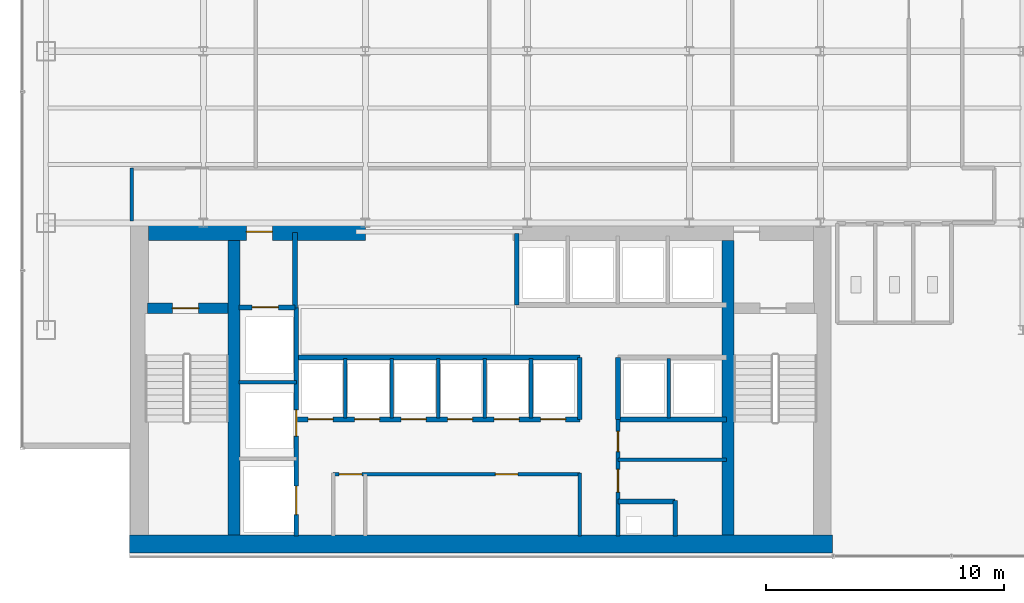
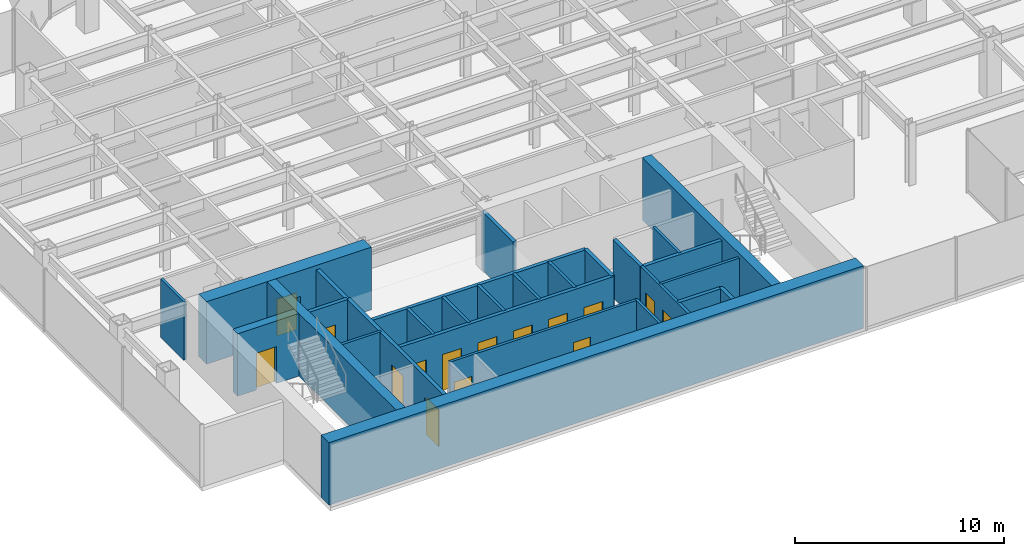
# One storey, part 21 of 26: 28 walls, 15 doors, 15 openings.
"""IFC4 building model written with IfcOpenShell, lengths in metres."""

from ifc_helpers import new_model, si_unit, derived_unit, direction, frame, frame_2d, origin, place, context, subcontext, project, spatial, rectangle, extrude, source, transform, mapped, material, layer, layer_set, type_object, element, fill, save


model = new_model("IFC4")

# Units and contexts
model_context = context("Model", 3, precision=1e-05, world=origin(), true_north=direction((0.0, 1.0)))
body_context = subcontext(model_context, "Body", "Model", "MODEL_VIEW")
ifc_project = project(units=[si_unit("LENGTHUNIT", "METRE"), si_unit("AREAUNIT", "SQUARE_METRE"), si_unit("VOLUMEUNIT", "CUBIC_METRE"), si_unit("PLANEANGLEUNIT", "RADIAN"), si_unit("MASSUNIT", "GRAM", prefix="KILO"), derived_unit("THERMALTRANSMITTANCEUNIT", [(si_unit("POWERUNIT", "WATT"), 1), (si_unit("LENGTHUNIT", "METRE"), -2), (si_unit("THERMODYNAMICTEMPERATUREUNIT", "KELVIN"), -1)])], contexts=[model_context])

# Site, building, storey
site_placement = place(None, origin())
site = spatial("IfcSite", under=ifc_project, at=site_placement, CompositionType="ELEMENT")
building_placement = place(site_placement, origin())
building = spatial("IfcBuilding", under=site, at=building_placement, Name="Skarnbrae Concourse Arena and Tower", CompositionType="ELEMENT")
storey_placement = place(building_placement, frame((0.0, 0.0, 103.25)))
storey = spatial("IfcBuildingStorey", under=building, at=storey_placement, Name="L25", CompositionType="ELEMENT", Elevation=103.25)

# Wall, opening, door
ifc_material_1 = material(Name="Concrete 50 MPa (C50/60)", Category="concrete")
ifc_layer_1 = layer(ifc_material_1, 0.449951171875)
ifc_layer_set_1 = layer_set([ifc_layer_1], Name="Concrete 50 MPa (C50/60)")
wall_type_1 = type_object("IfcWallType", Name="WALL-CORE-450-C50", PredefinedType="SHEAR", material=ifc_layer_set_1)
shared_shape_1 = source(origin(), body_context, "Body", "SweptSolid", [
    extrude(rectangle(XDim=3.389892578125, YDim=0.449951171875, at=frame_2d((1.69482421875, 0.0))), origin(), (0.0, 0.0, 1.0), 3.64990234375),
])
wall_1_placement = place(storey_placement, frame((5.25, 10.419921875, 0.0), z_axis=(0.0, 0.0, 1.0), x_axis=(1.0, 0.0, 0.0)))
wall_1 = element("IfcWall", 1, at=wall_1_placement, inside=storey, type_object=wall_type_1, Name="L25 Rear core shear wall CW-ST1-N", PredefinedType="SHEAR", context=body_context, shape_type="MappedRepresentation", body=[
    mapped(shared_shape_1, transform((0.0, 0.0, 0.0))),
])
opening_1_placement = place(wall_1_placement, frame((1.050048828125, 0.0, 0.0)))
opening_1 = element("IfcOpeningElement", 2, at=opening_1_placement, cuts=wall_1, Name="Opening DT-03", PredefinedType="OPENING", context=body_context, shape_type="SweptSolid", body=[
    extrude(rectangle(XDim=1.10009765625, YDim=2.14990234375, at=frame_2d((0.550048828125, 1.074951171875))), frame((0.0, 0.23486328125, 0.0), z_axis=(0.0, -1.0, 0.0), x_axis=(1.0, 0.0, 0.0)), (0.0, 0.0, 1.0), 0.469970703125),
])
ifc_material_2 = material(Name="Steel CSA G40.21 350W", Category="steel")
door_type_1 = type_object("IfcDoorType", Name="DOOR-FIRE-1100-90M", OperationType="NOTDEFINED", PredefinedType="DOOR", material=ifc_material_2)
shared_shape_2 = source(origin(), body_context, "Body", "SweptSolid", [
    extrude(rectangle(XDim=1.10009765625, YDim=2.14990234375, at=frame_2d((0.550048828125, 1.074951171875))), frame((0.0, 0.02490234375, 0.0), z_axis=(0.0, -1.0, 0.0), x_axis=(1.0, 0.0, 0.0)), (0.0, 0.0, 1.0), 0.050048828125),
])
door_1_placement = place(opening_1_placement, frame((1.10009765625, 0.0, 0.0), z_axis=(0.0, 0.0, 1.0), x_axis=(-1.0, 0.0, 0.0)))
door_1 = element("IfcDoor", 3, at=door_1_placement, inside=storey, type_object=door_type_1, Name="D-0837 Stair ST-1 Door", OperationType="SINGLE_SWING_LEFT", OverallHeight=2.14990234375, OverallWidth=1.10009765625, PredefinedType="DOOR", context=body_context, shape_type="MappedRepresentation", body=[
    mapped(shared_shape_2, transform((0.0, 0.0, 0.0))),
])
fill(opening_1, door_1)

# Wall
ifc_material_3 = material(Name="Concrete 60 MPa (C60/75)", Category="concrete")
ifc_layer_2 = layer(ifc_material_3, 0.75)
ifc_layer_set_2 = layer_set([ifc_layer_2], Name="Concrete 60 MPa (C60/75)")
wall_type_2 = type_object("IfcWallType", Name="WALL-CORE-750-C60", PredefinedType="SHEAR", material=ifc_layer_set_2)
shared_shape_3 = source(origin(), body_context, "Body", "SweptSolid", [
    extrude(rectangle(XDim=29.5, YDim=0.75, at=frame_2d((14.75, 0.0))), origin(), (0.0, 0.0, 1.0), 3.64990234375),
])
wall_2_placement = place(storey_placement, frame((4.5, 0.52490234375, 0.0), z_axis=(0.0, 0.0, 1.0), x_axis=(1.0, 0.0, 0.0)))
element("IfcWall", 4, at=wall_2_placement, inside=storey, type_object=wall_type_2, Name="L25 Rear core shear wall CW-S", PredefinedType="SHEAR", context=body_context, shape_type="MappedRepresentation", body=[
    mapped(shared_shape_3, transform((0.0, 0.0, 0.0))),
])

# Wall, opening, door
shared_shape_4 = source(origin(), body_context, "Body", "SweptSolid", [
    extrude(rectangle(XDim=9.099853515625, YDim=0.75, at=frame_2d((4.5498046875, 0.0))), origin(), (0.0, 0.0, 1.0), 3.64990234375),
])
wall_3_placement = place(storey_placement, frame((5.300048828125, 13.625, 0.0), z_axis=(0.0, 0.0, 1.0), x_axis=(1.0, 0.0, 0.0)))
wall_3 = element("IfcWall", 5, at=wall_3_placement, inside=storey, type_object=wall_type_2, Name="L25 Rear core shear wall CW-NW", PredefinedType="SHEAR", context=body_context, shape_type="MappedRepresentation", body=[
    mapped(shared_shape_4, transform((0.0, 0.0, 0.0))),
])
opening_2_placement = place(wall_3_placement, frame((4.10009765625, 0.0, 0.0)))
opening_2 = element("IfcOpeningElement", 6, at=opening_2_placement, cuts=wall_3, Name="Opening DT-03", PredefinedType="OPENING", context=body_context, shape_type="SweptSolid", body=[
    extrude(rectangle(XDim=1.10009765625, YDim=2.14990234375, at=frame_2d((0.550048828125, 1.074951171875))), frame((0.0, 0.385009765625, 0.0), z_axis=(0.0, -1.0, 0.0), x_axis=(1.0, 0.0, 0.0)), (0.0, 0.0, 1.0), 0.77001953125),
])
door_2_placement = place(opening_2_placement, origin())
door_2 = element("IfcDoor", 7, at=door_2_placement, inside=storey, type_object=door_type_1, Name="D-0839 Firefighting Lobby Exit Door", OperationType="SINGLE_SWING_RIGHT", OverallHeight=2.14990234375, OverallWidth=1.10009765625, PredefinedType="DOOR", context=body_context, shape_type="MappedRepresentation", body=[
    mapped(shared_shape_2, transform((0.0, 0.0, 0.0))),
])
fill(opening_2, door_2)

# Walls
ifc_layer_3 = layer(ifc_material_3, 0.5)
ifc_layer_set_3 = layer_set([ifc_layer_3], Name="Concrete 60 MPa (C60/75)")
wall_type_3 = type_object("IfcWallType", Name="WALL-CORE-500-C60", PredefinedType="SHEAR", material=ifc_layer_set_3)
shared_shape_5 = source(origin(), body_context, "Body", "SweptSolid", [
    extrude(rectangle(XDim=12.35009765625, YDim=0.5, at=frame_2d((6.175048828125, 0.0))), origin(), (0.0, 0.0, 1.0), 3.64990234375),
])
for number, where, z_axis, x_axis, name in (
    (8, (8.889892578125, 0.89990234375, 0.0), (0.0, 0.0, 1.0), (0.0, 1.0, 0.0), "L25 Rear core shear wall CW-WEB-W"),
    (9, (29.610107421875, 0.89990234375, 0.0), (0.0, 0.0, 1.0), (0.0, 1.0, 0.0), "L25 Rear core shear wall CW-WEB-E"),
):
    element("IfcWall", number, at=place(storey_placement, frame(where, z_axis=z_axis, x_axis=x_axis)), inside=storey, type_object=wall_type_3, Name=name, PredefinedType="SHEAR", context=body_context, shape_type="MappedRepresentation", body=[
        mapped(shared_shape_5, transform((0.0, 0.0, 0.0))),
    ])
ifc_material_4 = material(Name="Gypsum board on cold-formed steel studs", Category="steel")
ifc_layer_4 = layer(ifc_material_4, 0.199951171875)
ifc_layer_set_4 = layer_set([ifc_layer_4], Name="Gypsum board on cold-formed steel studs")
wall_type_4 = type_object("IfcWallType", Name="WALL-PART-200-2HR", PredefinedType="PARTITIONING", material=ifc_layer_set_4)
shared_shape_6 = source(origin(), body_context, "Body", "SweptSolid", [
    extrude(rectangle(XDim=3.18017578125, YDim=0.199951171875, at=frame_2d((1.590087890625, 0.0))), origin(), (0.0, 0.0, 1.0), 3.39990234375),
])
wall_4_placement = place(storey_placement, frame((11.449951171875, 10.419921875, 0.0), z_axis=(0.0, 0.0, 1.0), x_axis=(0.0, 1.0, 0.0)))
element("IfcWall", 10, at=wall_4_placement, inside=storey, type_object=wall_type_4, Name="L25 Interior partition wall W-L25-FFL-E", PredefinedType="PARTITIONING", context=body_context, shape_type="MappedRepresentation", body=[
    mapped(shared_shape_6, transform((0.0, 0.0, 0.0))),
])

# Wall, opening, door
shared_shape_7 = source(origin(), body_context, "Body", "SweptSolid", [
    extrude(rectangle(XDim=2.349853515625, YDim=0.199951171875, at=frame_2d((1.1748046875, 0.0))), origin(), (0.0, 0.0, 1.0), 3.39990234375),
])
wall_5_placement = place(storey_placement, frame((9.10009765625, 10.449951171875, 0.0), z_axis=(0.0, 0.0, 1.0), x_axis=(1.0, 0.0, 0.0)))
wall_5 = element("IfcWall", 11, at=wall_5_placement, inside=storey, type_object=wall_type_4, Name="L25 Interior partition wall W-L25-FL1-N", PredefinedType="PARTITIONING", context=body_context, shape_type="MappedRepresentation", body=[
    mapped(shared_shape_7, transform((0.0, 0.0, 0.0))),
])
opening_3_placement = place(wall_5_placement, frame((0.550048828125, 0.0, 0.0)))
opening_3 = element("IfcOpeningElement", 12, at=opening_3_placement, cuts=wall_5, Name="Opening LD-01", PredefinedType="OPENING", context=body_context, shape_type="SweptSolid", body=[
    extrude(rectangle(XDim=1.10009765625, YDim=2.14990234375, at=frame_2d((0.550048828125, 1.074951171875))), frame((0.0, 0.10986328125, 0.0), z_axis=(0.0, -1.0, 0.0), x_axis=(1.0, 0.0, 0.0)), (0.0, 0.0, 1.0), 0.219970703125),
])
door_type_2 = type_object("IfcDoorType", Name="DOOR-LIFT-SLIDE-1100", OperationType="SLIDING_TO_LEFT", PredefinedType="DOOR", material=ifc_material_2)
door_3_placement = place(opening_3_placement, origin())
door_3 = element("IfcDoor", 13, at=door_3_placement, inside=storey, type_object=door_type_2, Name="D-0841 Firefighting Lift Landing Door FL-01", OperationType="SLIDING_TO_LEFT", OverallHeight=2.14990234375, OverallWidth=1.10009765625, PredefinedType="DOOR", context=body_context, shape_type="MappedRepresentation", body=[
    mapped(shared_shape_2, transform((0.0, 0.0, 0.0))),
])
fill(opening_3, door_3)

# Wall, openings, doors
shared_shape_8 = source(origin(), body_context, "Body", "SweptSolid", [
    extrude(rectangle(XDim=9.599853515625, YDim=0.199951171875, at=frame_2d((4.7998046875, 0.0))), origin(), (0.0, 0.0, 1.0), 3.39990234375),
])
wall_6_placement = place(storey_placement, frame((11.5, 0.85009765625, 0.0), z_axis=(0.0, 0.0, 1.0), x_axis=(0.0, 1.0, 0.0)))
wall_6 = element("IfcWall", 14, at=wall_6_placement, inside=storey, type_object=wall_type_4, Name="L25 Interior partition wall W-L25-FL-E", PredefinedType="PARTITIONING", context=body_context, shape_type="MappedRepresentation", body=[
    mapped(shared_shape_8, transform((0.0, 0.0, 0.0))),
])
opening_4_placement = place(wall_6_placement, frame((4.199951171875, 0.0, 0.0)))
opening_4 = element("IfcOpeningElement", 15, at=opening_4_placement, cuts=wall_6, Name="Opening LD-01", PredefinedType="OPENING", context=body_context, shape_type="SweptSolid", body=[
    extrude(rectangle(XDim=1.10009765625, YDim=2.14990234375, at=frame_2d((0.550048828125, 1.074951171875))), frame((0.0, 0.10986328125, 0.0), z_axis=(0.0, -1.0, 0.0), x_axis=(1.0, 0.0, 0.0)), (0.0, 0.0, 1.0), 0.219970703125),
])
opening_5_placement = place(wall_6_placement, frame((0.89990234375, 0.0, 0.0)))
opening_5 = element("IfcOpeningElement", 16, at=opening_5_placement, cuts=wall_6, Name="Opening LD-02", PredefinedType="OPENING", context=body_context, shape_type="SweptSolid", body=[
    extrude(rectangle(XDim=1.199951171875, YDim=2.14990234375, at=frame_2d((0.60009765625, 1.074951171875))), frame((0.0, 0.10986328125, 0.0), z_axis=(0.0, -1.0, 0.0), x_axis=(1.0, 0.0, 0.0)), (0.0, 0.0, 1.0), 0.219970703125),
])
door_4_placement = place(opening_4_placement, frame((1.10009765625, 0.0, 0.0), z_axis=(0.0, 0.0, 1.0), x_axis=(-1.0, 0.0, 0.0)))
door_4 = element("IfcDoor", 17, at=door_4_placement, inside=storey, type_object=door_type_2, Name="D-0842 Firefighting Lift Landing Door FL-02", OperationType="SLIDING_TO_LEFT", OverallHeight=2.14990234375, OverallWidth=1.10009765625, PredefinedType="DOOR", context=body_context, shape_type="MappedRepresentation", body=[
    mapped(shared_shape_2, transform((0.0, 0.0, 0.0))),
])
fill(opening_4, door_4)
door_type_3 = type_object("IfcDoorType", Name="DOOR-LIFT-SLIDE-1200", OperationType="SLIDING_TO_LEFT", PredefinedType="DOOR", material=ifc_material_2)
shared_shape_9 = source(origin(), body_context, "Body", "SweptSolid", [
    extrude(rectangle(XDim=1.199951171875, YDim=2.14990234375, at=frame_2d((0.60009765625, 1.074951171875))), frame((0.0, 0.02490234375, 0.0), z_axis=(0.0, -1.0, 0.0), x_axis=(1.0, 0.0, 0.0)), (0.0, 0.0, 1.0), 0.050048828125),
])
door_5_placement = place(opening_5_placement, frame((1.199951171875, 0.0, 0.0), z_axis=(0.0, 0.0, 1.0), x_axis=(-1.0, 0.0, 0.0)))
door_5 = element("IfcDoor", 18, at=door_5_placement, inside=storey, type_object=door_type_3, Name="D-0843 Service Lift Landing Door SV-01", OperationType="SLIDING_TO_LEFT", OverallHeight=2.14990234375, OverallWidth=1.199951171875, PredefinedType="DOOR", context=body_context, shape_type="MappedRepresentation", body=[
    mapped(shared_shape_9, transform((0.0, 0.0, 0.0))),
])
fill(opening_5, door_5)

# Wall
ifc_layer_5 = layer(ifc_material_4, 0.14990234375)
ifc_layer_set_5 = layer_set([ifc_layer_5], Name="Gypsum board on cold-formed steel studs")
wall_type_5 = type_object("IfcWallType", Name="WALL-PART-150", PredefinedType="PARTITIONING", material=ifc_layer_set_5)
shared_shape_10 = source(origin(), body_context, "Body", "SweptSolid", [
    extrude(rectangle(XDim=2.39990234375, YDim=0.14990234375, at=frame_2d((1.199951171875, 0.0))), origin(), (0.0, 0.0, 1.0), 3.39990234375),
])
wall_7_placement = place(storey_placement, frame((9.10009765625, 7.300048828125, 0.0), z_axis=(0.0, 0.0, 1.0), x_axis=(1.0, 0.0, 0.0)))
element("IfcWall", 19, at=wall_7_placement, inside=storey, type_object=wall_type_5, Name="L25 Interior partition wall W-L25-FL-D2", PredefinedType="PARTITIONING", context=body_context, shape_type="MappedRepresentation", body=[
    mapped(shared_shape_10, transform((0.0, 0.0, 0.0))),
])

# Wall, openings, doors
shared_shape_11 = source(origin(), body_context, "Body", "SweptSolid", [
    extrude(rectangle(XDim=11.849853515625, YDim=0.199951171875, at=frame_2d((5.9248046875, 0.0))), origin(), (0.0, 0.0, 1.0), 3.39990234375),
])
wall_8_placement = place(storey_placement, frame((11.550048828125, 5.75, 0.0), z_axis=(0.0, 0.0, 1.0), x_axis=(1.0, 0.0, 0.0)))
wall_8 = element("IfcWall", 20, at=wall_8_placement, inside=storey, type_object=wall_type_4, Name="L25 Interior partition wall W-L25-B2-S", PredefinedType="PARTITIONING", context=body_context, shape_type="MappedRepresentation", body=[
    mapped(shared_shape_11, transform((0.0, 0.0, 0.0))),
])
opening_6_placement = place(wall_8_placement, frame((0.449951171875, 0.0, 0.0)))
opening_6 = element("IfcOpeningElement", 21, at=opening_6_placement, cuts=wall_8, Name="Opening LD-03", PredefinedType="OPENING", context=body_context, shape_type="SweptSolid", body=[
    extrude(rectangle(XDim=1.050048828125, YDim=2.14990234375, at=frame_2d((0.52490234375, 1.074951171875))), frame((0.0, 0.10986328125, 0.0), z_axis=(0.0, -1.0, 0.0), x_axis=(1.0, 0.0, 0.0)), (0.0, 0.0, 1.0), 0.219970703125),
])
opening_7_placement = place(wall_8_placement, frame((2.39990234375, 0.0, 0.0)))
opening_7 = element("IfcOpeningElement", 22, at=opening_7_placement, cuts=wall_8, Name="Opening LD-03", PredefinedType="OPENING", context=body_context, shape_type="SweptSolid", body=[
    extrude(rectangle(XDim=1.050048828125, YDim=2.14990234375, at=frame_2d((0.52490234375, 1.074951171875))), frame((0.0, 0.10986328125, 0.0), z_axis=(0.0, -1.0, 0.0), x_axis=(1.0, 0.0, 0.0)), (0.0, 0.0, 1.0), 0.219970703125),
])
opening_8_placement = place(wall_8_placement, frame((4.35009765625, 0.0, 0.0)))
opening_8 = element("IfcOpeningElement", 23, at=opening_8_placement, cuts=wall_8, Name="Opening LD-03", PredefinedType="OPENING", context=body_context, shape_type="SweptSolid", body=[
    extrude(rectangle(XDim=1.050048828125, YDim=2.14990234375, at=frame_2d((0.52490234375, 1.074951171875))), frame((0.0, 0.10986328125, 0.0), z_axis=(0.0, -1.0, 0.0), x_axis=(1.0, 0.0, 0.0)), (0.0, 0.0, 1.0), 0.219970703125),
])
opening_9_placement = place(wall_8_placement, frame((6.300048828125, 0.0, 0.0)))
opening_9 = element("IfcOpeningElement", 24, at=opening_9_placement, cuts=wall_8, Name="Opening LD-03", PredefinedType="OPENING", context=body_context, shape_type="SweptSolid", body=[
    extrude(rectangle(XDim=1.050048828125, YDim=2.14990234375, at=frame_2d((0.52490234375, 1.074951171875))), frame((0.0, 0.10986328125, 0.0), z_axis=(0.0, -1.0, 0.0), x_axis=(1.0, 0.0, 0.0)), (0.0, 0.0, 1.0), 0.219970703125),
])
opening_10_placement = place(wall_8_placement, frame((8.25, 0.0, 0.0)))
opening_10 = element("IfcOpeningElement", 25, at=opening_10_placement, cuts=wall_8, Name="Opening LD-03", PredefinedType="OPENING", context=body_context, shape_type="SweptSolid", body=[
    extrude(rectangle(XDim=1.050048828125, YDim=2.14990234375, at=frame_2d((0.52490234375, 1.074951171875))), frame((0.0, 0.10986328125, 0.0), z_axis=(0.0, -1.0, 0.0), x_axis=(1.0, 0.0, 0.0)), (0.0, 0.0, 1.0), 0.219970703125),
])
opening_11_placement = place(wall_8_placement, frame((10.199951171875, 0.0, 0.0)))
opening_11 = element("IfcOpeningElement", 26, at=opening_11_placement, cuts=wall_8, Name="Opening LD-03", PredefinedType="OPENING", context=body_context, shape_type="SweptSolid", body=[
    extrude(rectangle(XDim=1.050048828125, YDim=2.14990234375, at=frame_2d((0.52490234375, 1.074951171875))), frame((0.0, 0.10986328125, 0.0), z_axis=(0.0, -1.0, 0.0), x_axis=(1.0, 0.0, 0.0)), (0.0, 0.0, 1.0), 0.219970703125),
])
ifc_material_5 = material(Name="Bronze anodised aluminium 6063-T6", Category="aluminium")
door_type_4 = type_object("IfcDoorType", Name="DOOR-LIFT-SLIDE-1050", OperationType="SLIDING_TO_LEFT", PredefinedType="DOOR", material=ifc_material_5)
shared_shape_12 = source(origin(), body_context, "Body", "SweptSolid", [
    extrude(rectangle(XDim=1.050048828125, YDim=2.14990234375, at=frame_2d((0.52490234375, 1.074951171875))), frame((0.0, 0.02490234375, 0.0), z_axis=(0.0, -1.0, 0.0), x_axis=(1.0, 0.0, 0.0)), (0.0, 0.0, 1.0), 0.050048828125),
])
door_6_placement = place(opening_6_placement, frame((1.050048828125, 0.0, 0.0), z_axis=(0.0, 0.0, 1.0), x_axis=(-1.0, 0.0, 0.0)))
door_6 = element("IfcDoor", 27, at=door_6_placement, inside=storey, type_object=door_type_4, Name="D-0846 Passenger Lift Landing Door PL-2A", OperationType="SLIDING_TO_LEFT", OverallHeight=2.14990234375, OverallWidth=1.050048828125, PredefinedType="DOOR", context=body_context, shape_type="MappedRepresentation", body=[
    mapped(shared_shape_12, transform((0.0, 0.0, 0.0))),
])
fill(opening_6, door_6)
door_7_placement = place(opening_7_placement, frame((1.050048828125, 0.0, 0.0), z_axis=(0.0, 0.0, 1.0), x_axis=(-1.0, 0.0, 0.0)))
door_7 = element("IfcDoor", 28, at=door_7_placement, inside=storey, type_object=door_type_4, Name="D-0847 Passenger Lift Landing Door PL-2B", OperationType="SLIDING_TO_LEFT", OverallHeight=2.14990234375, OverallWidth=1.050048828125, PredefinedType="DOOR", context=body_context, shape_type="MappedRepresentation", body=[
    mapped(shared_shape_12, transform((0.0, 0.0, 0.0))),
])
fill(opening_7, door_7)
door_8_placement = place(opening_8_placement, frame((1.050048828125, 0.0, 0.0), z_axis=(0.0, 0.0, 1.0), x_axis=(-1.0, 0.0, 0.0)))
door_8 = element("IfcDoor", 29, at=door_8_placement, inside=storey, type_object=door_type_4, Name="D-0848 Passenger Lift Landing Door PL-2C", OperationType="SLIDING_TO_LEFT", OverallHeight=2.14990234375, OverallWidth=1.050048828125, PredefinedType="DOOR", context=body_context, shape_type="MappedRepresentation", body=[
    mapped(shared_shape_12, transform((0.0, 0.0, 0.0))),
])
fill(opening_8, door_8)
door_9_placement = place(opening_9_placement, frame((1.050048828125, 0.0, 0.0), z_axis=(0.0, 0.0, 1.0), x_axis=(-1.0, 0.0, 0.0)))
door_9 = element("IfcDoor", 30, at=door_9_placement, inside=storey, type_object=door_type_4, Name="D-0849 Passenger Lift Landing Door PL-2D", OperationType="SLIDING_TO_LEFT", OverallHeight=2.14990234375, OverallWidth=1.050048828125, PredefinedType="DOOR", context=body_context, shape_type="MappedRepresentation", body=[
    mapped(shared_shape_12, transform((0.0, 0.0, 0.0))),
])
fill(opening_9, door_9)
door_10_placement = place(opening_10_placement, frame((1.050048828125, 0.0, 0.0), z_axis=(0.0, 0.0, 1.0), x_axis=(-1.0, 0.0, 0.0)))
door_10 = element("IfcDoor", 31, at=door_10_placement, inside=storey, type_object=door_type_4, Name="D-0850 Passenger Lift Landing Door PL-2E", OperationType="SLIDING_TO_LEFT", OverallHeight=2.14990234375, OverallWidth=1.050048828125, PredefinedType="DOOR", context=body_context, shape_type="MappedRepresentation", body=[
    mapped(shared_shape_12, transform((0.0, 0.0, 0.0))),
])
fill(opening_10, door_10)
door_11_placement = place(opening_11_placement, frame((1.050048828125, 0.0, 0.0), z_axis=(0.0, 0.0, 1.0), x_axis=(-1.0, 0.0, 0.0)))
door_11 = element("IfcDoor", 32, at=door_11_placement, inside=storey, type_object=door_type_4, Name="D-0851 Passenger Lift Landing Door PL-2F", OperationType="SLIDING_TO_LEFT", OverallHeight=2.14990234375, OverallWidth=1.050048828125, PredefinedType="DOOR", context=body_context, shape_type="MappedRepresentation", body=[
    mapped(shared_shape_12, transform((0.0, 0.0, 0.0))),
])
fill(opening_11, door_11)

# Walls
wall_9_placement = place(storey_placement, frame((11.550048828125, 8.35009765625, 0.0), z_axis=(0.0, 0.0, 1.0), x_axis=(1.0, 0.0, 0.0)))
element("IfcWall", 33, at=wall_9_placement, inside=storey, type_object=wall_type_4, Name="L25 Interior partition wall W-L25-B2-N", PredefinedType="PARTITIONING", context=body_context, shape_type="MappedRepresentation", body=[
    mapped(shared_shape_11, transform((0.0, 0.0, 0.0))),
])
shared_shape_13 = source(origin(), body_context, "Body", "SweptSolid", [
    extrude(rectangle(XDim=2.60009765625, YDim=0.199951171875, at=frame_2d((1.300048828125, 0.0))), origin(), (0.0, 0.0, 1.0), 3.39990234375),
])
for number, where, z_axis, x_axis, name in (
    (34, (23.39990234375, 5.75, 0.0), (0.0, 0.0, 1.0), (0.0, 1.0, 0.0), "L25 Interior partition wall W-L25-B2-E"),
    (35, (25.0, 5.75, 0.0), (0.0, 0.0, 1.0), (0.0, 1.0, 0.0), "L25 Interior partition wall W-L25-B3S-W"),
):
    element("IfcWall", number, at=place(storey_placement, frame(where, z_axis=z_axis, x_axis=x_axis)), inside=storey, type_object=wall_type_4, Name=name, PredefinedType="PARTITIONING", context=body_context, shape_type="MappedRepresentation", body=[
        mapped(shared_shape_13, transform((0.0, 0.0, 0.0))),
    ])
shared_shape_14 = source(origin(), body_context, "Body", "SweptSolid", [
    extrude(rectangle(XDim=2.5, YDim=0.14990234375, at=frame_2d((1.25, 0.0))), origin(), (0.0, 0.0, 1.0), 3.39990234375),
])
for number, where, z_axis, x_axis, name in (
    (36, (13.550048828125, 5.800048828125, 0.0), (0.0, 0.0, 1.0), (0.0, 1.0, 0.0), "L25 Interior partition wall W-L25-B2-P1"),
    (37, (15.5, 5.800048828125, 0.0), (0.0, 0.0, 1.0), (0.0, 1.0, 0.0), "L25 Interior partition wall W-L25-B2-P2"),
    (38, (17.449951171875, 5.800048828125, 0.0), (0.0, 0.0, 1.0), (0.0, 1.0, 0.0), "L25 Interior partition wall W-L25-B2-P3"),
    (39, (19.39990234375, 5.800048828125, 0.0), (0.0, 0.0, 1.0), (0.0, 1.0, 0.0), "L25 Interior partition wall W-L25-B2-P4"),
    (40, (21.35009765625, 5.800048828125, 0.0), (0.0, 0.0, 1.0), (0.0, 1.0, 0.0), "L25 Interior partition wall W-L25-B2-P5"),
    (41, (27.139892578125, 5.800048828125, 0.0), (0.0, 0.0, 1.0), (0.0, 1.0, 0.0), "L25 Interior partition wall W-L25-B3S-P1"),
):
    element("IfcWall", number, at=place(storey_placement, frame(where, z_axis=z_axis, x_axis=x_axis)), inside=storey, type_object=wall_type_5, Name=name, PredefinedType="PARTITIONING", context=body_context, shape_type="MappedRepresentation", body=[
        mapped(shared_shape_14, transform((0.0, 0.0, 0.0))),
    ])
shared_shape_15 = source(origin(), body_context, "Body", "SweptSolid", [
    extrude(rectangle(XDim=3.0, YDim=0.199951171875, at=frame_2d((1.5, 0.0))), origin(), (0.0, 0.0, 1.0), 3.39990234375),
])
wall_10_placement = place(storey_placement, frame((20.75, 10.550048828125, 0.0), z_axis=(0.0, 0.0, 1.0), x_axis=(0.0, 1.0, 0.0)))
element("IfcWall", 42, at=wall_10_placement, inside=storey, type_object=wall_type_4, Name="L25 Interior partition wall W-L25-B3N-W", PredefinedType="PARTITIONING", context=body_context, shape_type="MappedRepresentation", body=[
    mapped(shared_shape_15, transform((0.0, 0.0, 0.0))),
])
shared_shape_16 = source(origin(), body_context, "Body", "SweptSolid", [
    extrude(rectangle(XDim=4.550048828125, YDim=0.199951171875, at=frame_2d((2.27490234375, 0.0))), origin(), (0.0, 0.0, 1.0), 3.39990234375),
])
wall_11_placement = place(storey_placement, frame((25.0, 5.75, 0.0), z_axis=(0.0, 0.0, 1.0), x_axis=(1.0, 0.0, 0.0)))
element("IfcWall", 43, at=wall_11_placement, inside=storey, type_object=wall_type_4, Name="L25 Interior partition wall W-L25-B3S-S", PredefinedType="PARTITIONING", context=body_context, shape_type="MappedRepresentation", body=[
    mapped(shared_shape_16, transform((0.0, 0.0, 0.0))),
])

# Wall, openings, doors
ifc_layer_6 = layer(ifc_material_4, 0.14990234375)
ifc_layer_set_6 = layer_set([ifc_layer_6], Name="Gypsum board on cold-formed steel studs")
wall_type_6 = type_object("IfcWallType", Name="WALL-PART-150-1HR", PredefinedType="PARTITIONING", material=ifc_layer_set_6)
shared_shape_17 = source(origin(), body_context, "Body", "SweptSolid", [
    extrude(rectangle(XDim=4.89990234375, YDim=0.14990234375, at=frame_2d((2.449951171875, 0.0))), origin(), (0.0, 0.0, 1.0), 3.39990234375),
])
wall_12_placement = place(storey_placement, frame((25.0, 0.85009765625, 0.0), z_axis=(0.0, 0.0, 1.0), x_axis=(0.0, 1.0, 0.0)))
wall_12 = element("IfcWall", 44, at=wall_12_placement, inside=storey, type_object=wall_type_6, Name="L25 Interior partition wall W-L25-CSV-W", PredefinedType="PARTITIONING", context=body_context, shape_type="MappedRepresentation", body=[
    mapped(shared_shape_17, transform((0.0, 0.0, 0.0))),
])
opening_12_placement = place(wall_12_placement, frame((1.85009765625, 0.0, 0.0)))
opening_12 = element("IfcOpeningElement", 45, at=opening_12_placement, cuts=wall_12, Name="Opening DT-04", PredefinedType="OPENING", context=body_context, shape_type="SweptSolid", body=[
    extrude(rectangle(XDim=0.949951171875, YDim=2.14990234375, at=frame_2d((0.47509765625, 1.074951171875))), frame((0.0, 0.0849609375, 0.0), z_axis=(0.0, -1.0, 0.0), x_axis=(1.0, 0.0, 0.0)), (0.0, 0.0, 1.0), 0.169921875),
])
opening_13_placement = place(wall_12_placement, frame((3.550048828125, 0.0, 0.0)))
opening_13 = element("IfcOpeningElement", 46, at=opening_13_placement, cuts=wall_12, Name="Opening DT-08", PredefinedType="OPENING", context=body_context, shape_type="SweptSolid", body=[
    extrude(rectangle(XDim=0.85009765625, YDim=2.14990234375, at=frame_2d((0.425048828125, 1.074951171875))), frame((0.0, 0.0849609375, 0.0), z_axis=(0.0, -1.0, 0.0), x_axis=(1.0, 0.0, 0.0)), (0.0, 0.0, 1.0), 0.169921875),
])
door_type_5 = type_object("IfcDoorType", Name="DOOR-INT-950-45M", OperationType="NOTDEFINED", PredefinedType="DOOR", material=ifc_material_2)
shared_shape_18 = source(origin(), body_context, "Body", "SweptSolid", [
    extrude(rectangle(XDim=0.949951171875, YDim=2.14990234375, at=frame_2d((0.47509765625, 1.074951171875))), frame((0.0, 0.02490234375, 0.0), z_axis=(0.0, -1.0, 0.0), x_axis=(1.0, 0.0, 0.0)), (0.0, 0.0, 1.0), 0.050048828125),
])
door_12_placement = place(opening_12_placement, origin())
door_12 = element("IfcDoor", 47, at=door_12_placement, inside=storey, type_object=door_type_5, Name="D-0852 Core Staff WC Door", OperationType="SINGLE_SWING_RIGHT", OverallHeight=2.14990234375, OverallWidth=0.949951171875, PredefinedType="DOOR", context=body_context, shape_type="MappedRepresentation", body=[
    mapped(shared_shape_18, transform((0.0, 0.0, 0.0))),
])
fill(opening_12, door_12)
door_type_6 = type_object("IfcDoorType", Name="DOOR-INT-850-45M", OperationType="NOTDEFINED", PredefinedType="DOOR", material=ifc_material_2)
shared_shape_19 = source(origin(), body_context, "Body", "SweptSolid", [
    extrude(rectangle(XDim=0.85009765625, YDim=2.14990234375, at=frame_2d((0.425048828125, 1.074951171875))), frame((0.0, 0.02490234375, 0.0), z_axis=(0.0, -1.0, 0.0), x_axis=(1.0, 0.0, 0.0)), (0.0, 0.0, 1.0), 0.050048828125),
])
door_13_placement = place(opening_13_placement, origin())
door_13 = element("IfcDoor", 48, at=door_13_placement, inside=storey, type_object=door_type_6, Name="D-0853 IT Patch Room Door", OperationType="SINGLE_SWING_LEFT", OverallHeight=2.14990234375, OverallWidth=0.85009765625, PredefinedType="DOOR", context=body_context, shape_type="MappedRepresentation", body=[
    mapped(shared_shape_19, transform((0.0, 0.0, 0.0))),
])
fill(opening_13, door_13)

# Walls
shared_shape_20 = source(origin(), body_context, "Body", "SweptSolid", [
    extrude(rectangle(XDim=2.39990234375, YDim=0.199951171875, at=frame_2d((1.199951171875, 0.0))), origin(), (0.0, 0.0, 1.0), 3.39990234375),
])
wall_13_placement = place(storey_placement, frame((25.0, 2.300048828125, 0.0), z_axis=(0.0, 0.0, 1.0), x_axis=(1.0, 0.0, 0.0)))
element("IfcWall", 49, at=wall_13_placement, inside=storey, type_object=wall_type_4, Name="L25 Interior partition wall W-L25-MEP-N", PredefinedType="PARTITIONING", context=body_context, shape_type="MappedRepresentation", body=[
    mapped(shared_shape_20, transform((0.0, 0.0, 0.0))),
])
shared_shape_21 = source(origin(), body_context, "Body", "SweptSolid", [
    extrude(rectangle(XDim=1.5, YDim=0.199951171875, at=frame_2d((0.75, 0.0))), origin(), (0.0, 0.0, 1.0), 3.39990234375),
])
wall_14_placement = place(storey_placement, frame((27.39990234375, 0.85009765625, 0.0), z_axis=(0.0, 0.0, 1.0), x_axis=(0.0, 1.0, 0.0)))
element("IfcWall", 50, at=wall_14_placement, inside=storey, type_object=wall_type_4, Name="L25 Interior partition wall W-L25-MEP-E", PredefinedType="PARTITIONING", context=body_context, shape_type="MappedRepresentation", body=[
    mapped(shared_shape_21, transform((0.0, 0.0, 0.0))),
])
shared_shape_22 = source(origin(), body_context, "Body", "SweptSolid", [
    extrude(rectangle(XDim=4.550048828125, YDim=0.14990234375, at=frame_2d((2.27490234375, 0.0))), origin(), (0.0, 0.0, 1.0), 3.39990234375),
])
wall_15_placement = place(storey_placement, frame((25.0, 4.050048828125, 0.0), z_axis=(0.0, 0.0, 1.0), x_axis=(1.0, 0.0, 0.0)))
element("IfcWall", 51, at=wall_15_placement, inside=storey, type_object=wall_type_5, Name="L25 Interior partition wall W-L25-CSV-H2", PredefinedType="PARTITIONING", context=body_context, shape_type="MappedRepresentation", body=[
    mapped(shared_shape_22, transform((0.0, 0.0, 0.0))),
])
shared_shape_23 = source(origin(), body_context, "Body", "SweptSolid", [
    extrude(rectangle(XDim=2.64990234375, YDim=0.14990234375, at=frame_2d((1.324951171875, 0.0))), origin(), (0.0, 0.0, 1.0), 3.39990234375),
])
wall_16_placement = place(storey_placement, frame((23.39990234375, 0.85009765625, 0.0), z_axis=(0.0, 0.0, 1.0), x_axis=(0.0, 1.0, 0.0)))
element("IfcWall", 52, at=wall_16_placement, inside=storey, type_object=wall_type_6, Name="L25 Interior partition wall W-L25-B1M-E", PredefinedType="PARTITIONING", context=body_context, shape_type="MappedRepresentation", body=[
    mapped(shared_shape_23, transform((0.0, 0.0, 0.0))),
])

# Wall, openings, doors
shared_shape_24 = source(origin(), body_context, "Body", "SweptSolid", [
    extrude(rectangle(XDim=10.349853515625, YDim=0.14990234375, at=frame_2d((5.1748046875, 0.0))), origin(), (0.0, 0.0, 1.0), 3.39990234375),
])
wall_17_placement = place(storey_placement, frame((13.050048828125, 3.449951171875, 0.0), z_axis=(0.0, 0.0, 1.0), x_axis=(1.0, 0.0, 0.0)))
wall_17 = element("IfcWall", 53, at=wall_17_placement, inside=storey, type_object=wall_type_6, Name="L25 Interior partition wall W-L25-B1M-N", PredefinedType="PARTITIONING", context=body_context, shape_type="MappedRepresentation", body=[
    mapped(shared_shape_24, transform((0.0, 0.0, 0.0))),
])
opening_14_placement = place(wall_17_placement, frame((0.25, 0.0, 0.0)))
opening_14 = element("IfcOpeningElement", 54, at=opening_14_placement, cuts=wall_17, Name="Opening DT-04", PredefinedType="OPENING", context=body_context, shape_type="SweptSolid", body=[
    extrude(rectangle(XDim=0.949951171875, YDim=2.14990234375, at=frame_2d((0.47509765625, 1.074951171875))), frame((0.0, 0.0849609375, 0.0), z_axis=(0.0, -1.0, 0.0), x_axis=(1.0, 0.0, 0.0)), (0.0, 0.0, 1.0), 0.169921875),
])
opening_15_placement = place(wall_17_placement, frame((6.800048828125, 0.0, 0.0)))
opening_15 = element("IfcOpeningElement", 55, at=opening_15_placement, cuts=wall_17, Name="Opening DT-04", PredefinedType="OPENING", context=body_context, shape_type="SweptSolid", body=[
    extrude(rectangle(XDim=0.949951171875, YDim=2.14990234375, at=frame_2d((0.47509765625, 1.074951171875))), frame((0.0, 0.0849609375, 0.0), z_axis=(0.0, -1.0, 0.0), x_axis=(1.0, 0.0, 0.0)), (0.0, 0.0, 1.0), 0.169921875),
])
door_14_placement = place(opening_14_placement, origin())
door_14 = element("IfcDoor", 56, at=door_14_placement, inside=storey, type_object=door_type_5, Name="D-0844 First Aid Room Door", OperationType="SINGLE_SWING_LEFT", OverallHeight=2.14990234375, OverallWidth=0.949951171875, PredefinedType="DOOR", context=body_context, shape_type="MappedRepresentation", body=[
    mapped(shared_shape_18, transform((0.0, 0.0, 0.0))),
])
fill(opening_14, door_14)
door_15_placement = place(opening_15_placement, origin())
door_15 = element("IfcDoor", 57, at=door_15_placement, inside=storey, type_object=door_type_5, Name="D-0845 Archive Room Door", OperationType="SINGLE_SWING_RIGHT", OverallHeight=2.14990234375, OverallWidth=0.949951171875, PredefinedType="DOOR", context=body_context, shape_type="MappedRepresentation", body=[
    mapped(shared_shape_18, transform((0.0, 0.0, 0.0))),
])
fill(opening_15, door_15)

# Wall
shared_shape_25 = source(origin(), body_context, "Body", "SweptSolid", [
    extrude(rectangle(XDim=2.219970703125, YDim=0.14990234375, at=frame_2d((1.10986328125, 0.0))), origin(), (0.0, 0.0, 1.0), 3.39990234375),
])
wall_18_placement = place(storey_placement, frame((4.60009765625, 14.080078125, 0.0), z_axis=(0.0, 0.0, 1.0), x_axis=(0.0, 1.0, 0.0)))
element("IfcWall", 58, at=wall_18_placement, inside=storey, type_object=wall_type_6, Name="L25 Interior partition wall W-L25-COR-01", PredefinedType="PARTITIONING", context=body_context, shape_type="MappedRepresentation", body=[
    mapped(shared_shape_25, transform((0.0, 0.0, 0.0))),
])

save(model, "model.ifc")
